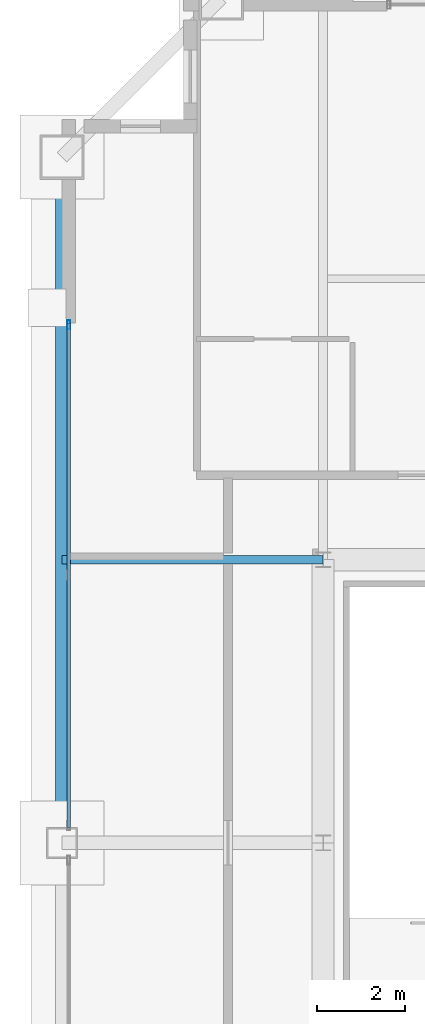
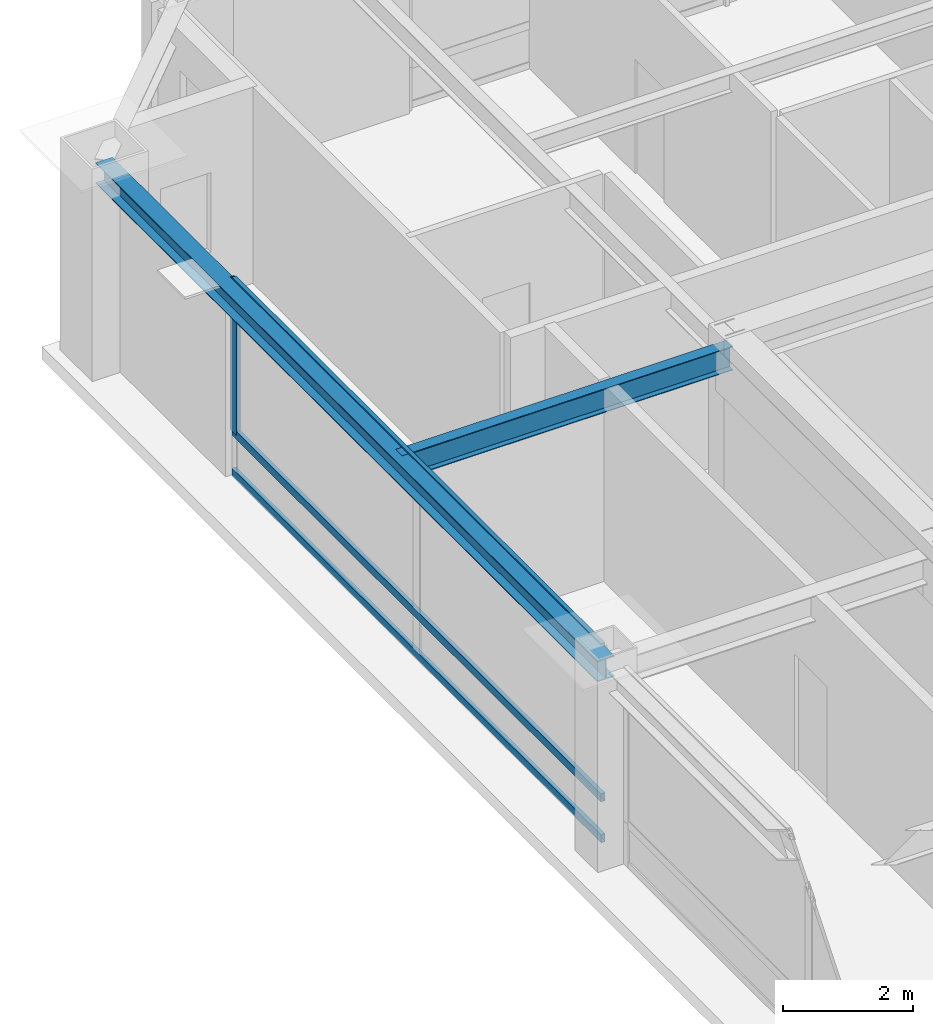
# One storey, part 12 of 34: 4 members, 2 beams, 1 element without a shape of its own.
"""IFC4 building model written with IfcOpenShell, lengths in metres."""

from ifc_helpers import new_model, si_unit, direction, frame, origin, origin_2d, place, context, subcontext, project, spatial, hollow_rectangle, i_section, extrude, source, transform, mapped, material, layer, layer_set, material_profile, profile_set, type_object, element, aggregate, save


model = new_model("IFC4")

# Units and contexts
model_context = context("Model", 3, precision=1e-05, world=origin(), true_north=direction((0.0, 1.0)))
body_context = subcontext(model_context, "Body", "Model", "MODEL_VIEW")
ifc_project = project(units=[si_unit("LENGTHUNIT", "METRE"), si_unit("AREAUNIT", "SQUARE_METRE"), si_unit("VOLUMEUNIT", "CUBIC_METRE"), si_unit("PLANEANGLEUNIT", "RADIAN"), si_unit("MASSUNIT", "GRAM", prefix="KILO"), si_unit("THERMODYNAMICTEMPERATUREUNIT", "KELVIN"), si_unit("POWERUNIT", "WATT")], contexts=[model_context])

# Site, building, storey
site_placement = place(None, origin())
site = spatial("IfcSite", under=ifc_project, at=site_placement, CompositionType="ELEMENT")
building_placement = place(site_placement, origin())
building = spatial("IfcBuilding", under=site, at=building_placement, Name="Yuzanri Waterfront Tower", CompositionType="ELEMENT")
storey_placement = place(building_placement, frame((0.0, 0.0, 347.199951171875)))
storey = spatial("IfcBuildingStorey", under=building, at=storey_placement, Name="L93", CompositionType="ELEMENT", Elevation=347.199951171875)

# Beams
ifc_material_1 = material(Name="Steel Q355B", Category="steel")
ifc_material_profile_1 = material_profile(ifc_material_1, i_section(OverallWidth=0.300048828125, OverallDepth=0.389892578125, WebThickness=0.010009765625, FlangeThickness=0.01611328125, at=origin_2d()), Name="HM 390x300x10x16")
ifc_profile_set_1 = profile_set([ifc_material_profile_1], Name="Steel Q355B")
beam_type_1 = type_object("IfcBeamType", Name="Perimeter Spandrel Q355B HM 390x300", PredefinedType="SPANDREL", material=ifc_profile_set_1)
shared_shape_1 = source(origin(), body_context, "Body", "SweptSolid", [
    extrude(i_section(OverallWidth=0.300048828125, OverallDepth=0.389892578125, WebThickness=0.010009765625, FlangeThickness=0.01611328125, at=origin_2d()), origin(), (0.0, 0.0, 1.0), 15.5),
])
beam_1_placement = place(storey_placement, frame((17.89990234375, 41.300048828125, 3.505126953125), z_axis=(0.0, -1.0, 0.0), x_axis=(1.0, 0.0, 0.0)))
element("IfcBeam", 1, at=beam_1_placement, inside=storey, type_object=beam_type_1, Name="L93 Perimeter Spandrel W3-W2", PredefinedType="SPANDREL", context=body_context, shape_type="MappedRepresentation", body=[
    mapped(shared_shape_1, transform((0.0, 0.0, 0.0), scale=1.0)),
])
ifc_material_2 = material(Name="Steel Q355B", Category="steel")
ifc_material_profile_2 = material_profile(ifc_material_2, i_section(OverallWidth=0.199951171875, OverallDepth=0.449951171875, WebThickness=0.009033203125, FlangeThickness=0.013916015625, at=origin_2d()), Name="HN 450x200x9x14")
ifc_profile_set_2 = profile_set([ifc_material_profile_2], Name="Steel Q355B")
beam_type_2 = type_object("IfcBeamType", Name="Secondary Floor Beam Q355B HN 450x200", PredefinedType="BEAM", material=ifc_profile_set_2)
shared_shape_2 = source(origin(), body_context, "Body", "SweptSolid", [
    extrude(i_section(OverallWidth=0.199951171875, OverallDepth=0.449951171875, WebThickness=0.009033203125, FlangeThickness=0.013916015625, at=origin_2d()), origin(), (0.0, 0.0, 1.0), 5.900146484375),
])
beam_2_placement = place(storey_placement, frame((23.800048828125, 32.199951171875, 3.47509765625), z_axis=(-1.0, 0.0, 0.0), x_axis=(0.0, -1.0, 0.0)))
element("IfcBeam", 2, at=beam_2_placement, inside=storey, type_object=beam_type_2, Name="L93 West-North Core Line Beam", PredefinedType="BEAM", context=body_context, shape_type="MappedRepresentation", body=[
    mapped(shared_shape_2, transform((0.0, 0.0, 0.0), scale=1.0)),
])

# Curtain wall, members
ifc_material_3 = material(Name="Anodized Architectural Bronze", Category="metal")
ifc_layer = layer(ifc_material_3, 0.159912109375)
ifc_layer_set = layer_set([ifc_layer], Name="Anodized Architectural Bronze")
curtain_wall_type = type_object("IfcCurtainWallType", Name="Anodized Bronze High-Rise Penthouse High-Wind Unitized Curtain Wall 6900", PredefinedType="NOTDEFINED", material=ifc_layer_set)
curtain_wall_placement = place(storey_placement, origin())
curtain_wall = element("IfcCurtainWall", 3, at=curtain_wall_placement, inside=storey, type_object=curtain_wall_type, Name="L93 Curtain Wall CW-L93-WR", PredefinedType="NOTDEFINED")
ifc_material_4 = material(Name="Anodized Architectural Bronze", Category="metal")
ifc_material_profile_3 = material_profile(ifc_material_4, hollow_rectangle(XDim=0.074951171875, YDim=0.14990234375, WallThickness=0.00390625, at=origin_2d()), Name="CWT 75x150")
ifc_profile_set_3 = profile_set([ifc_material_profile_3], Name="Anodized Architectural Bronze")
member_type_1 = type_object("IfcMemberType", Name="Anodized Bronze Primary Curtain-Wall Transom 75x150", PredefinedType="USERDEFINED", material=ifc_profile_set_3)
shared_shape_3 = source(origin(), body_context, "Body", "SweptSolid", [
    extrude(hollow_rectangle(XDim=0.074951171875, YDim=0.14990234375, WallThickness=0.00390625, at=origin_2d()), origin(), (0.0, 0.0, 1.0), 11.400146484375),
])
member_1_placement = place(storey_placement, frame((18.050048828125, 26.14990234375, 0.050048828125), z_axis=(0.0, 1.0, 0.0), x_axis=(-1.0, 0.0, 0.0)))
member_1 = element("IfcMember", 4, at=member_1_placement, type_object=member_type_1, Name="CW-L93-WR Transom 1", ObjectType="TRANSOM", PredefinedType="USERDEFINED", context=body_context, shape_type="MappedRepresentation", body=[
    mapped(shared_shape_3, transform((0.0, 0.0, 0.0), scale=1.0)),
])
member_2_placement = place(storey_placement, frame((18.050048828125, 26.14990234375, 0.820068359375), z_axis=(0.0, 1.0, 0.0), x_axis=(-1.0, 0.0, 0.0)))
member_2 = element("IfcMember", 5, at=member_2_placement, type_object=member_type_1, Name="CW-L93-WR Transom 2", ObjectType="TRANSOM", PredefinedType="USERDEFINED", context=body_context, shape_type="MappedRepresentation", body=[
    mapped(shared_shape_3, transform((0.0, 0.0, 0.0), scale=1.0)),
])
member_3_placement = place(storey_placement, frame((18.050048828125, 26.14990234375, 3.650146484375), z_axis=(0.0, 1.0, 0.0), x_axis=(-1.0, 0.0, 0.0)))
member_3 = element("IfcMember", 6, at=member_3_placement, type_object=member_type_1, Name="CW-L93-WR Transom 3", ObjectType="TRANSOM", PredefinedType="USERDEFINED", context=body_context, shape_type="MappedRepresentation", body=[
    mapped(shared_shape_3, transform((0.0, 0.0, 0.0), scale=1.0)),
])
ifc_material_5 = material(Name="Anodized Architectural Bronze", Category="metal")
ifc_material_profile_4 = material_profile(ifc_material_5, hollow_rectangle(XDim=0.074951171875, YDim=0.199951171875, WallThickness=0.00390625, at=origin_2d()), Name="CWM 75x200")
ifc_profile_set_4 = profile_set([ifc_material_profile_4], Name="Anodized Architectural Bronze")
member_type_2 = type_object("IfcMemberType", Name="Anodized Bronze Primary Curtain-Wall Mullion 75x200", PredefinedType="MULLION", material=ifc_profile_set_4)
shared_shape_4 = source(origin(), body_context, "Body", "SweptSolid", [
    extrude(hollow_rectangle(XDim=0.074951171875, YDim=0.199951171875, WallThickness=0.00390625, at=origin_2d()), origin(), (0.0, 0.0, 1.0), 2.8779296875),
])
member_4_placement = place(storey_placement, frame((18.050048828125, 37.510009765625, 0.822021484375), z_axis=(0.0, 0.0, 1.0), x_axis=(1.0, 0.0, 0.0)))
member_4 = element("IfcMember", 7, at=member_4_placement, type_object=member_type_2, Name="CW-L93-WR Upper Mullion 02", PredefinedType="MULLION", context=body_context, shape_type="MappedRepresentation", body=[
    mapped(shared_shape_4, transform((0.0, 0.0, 0.0), scale=1.0)),
])
aggregate(curtain_wall, [member_4, member_1, member_2, member_3])

save(model, "model.ifc")
